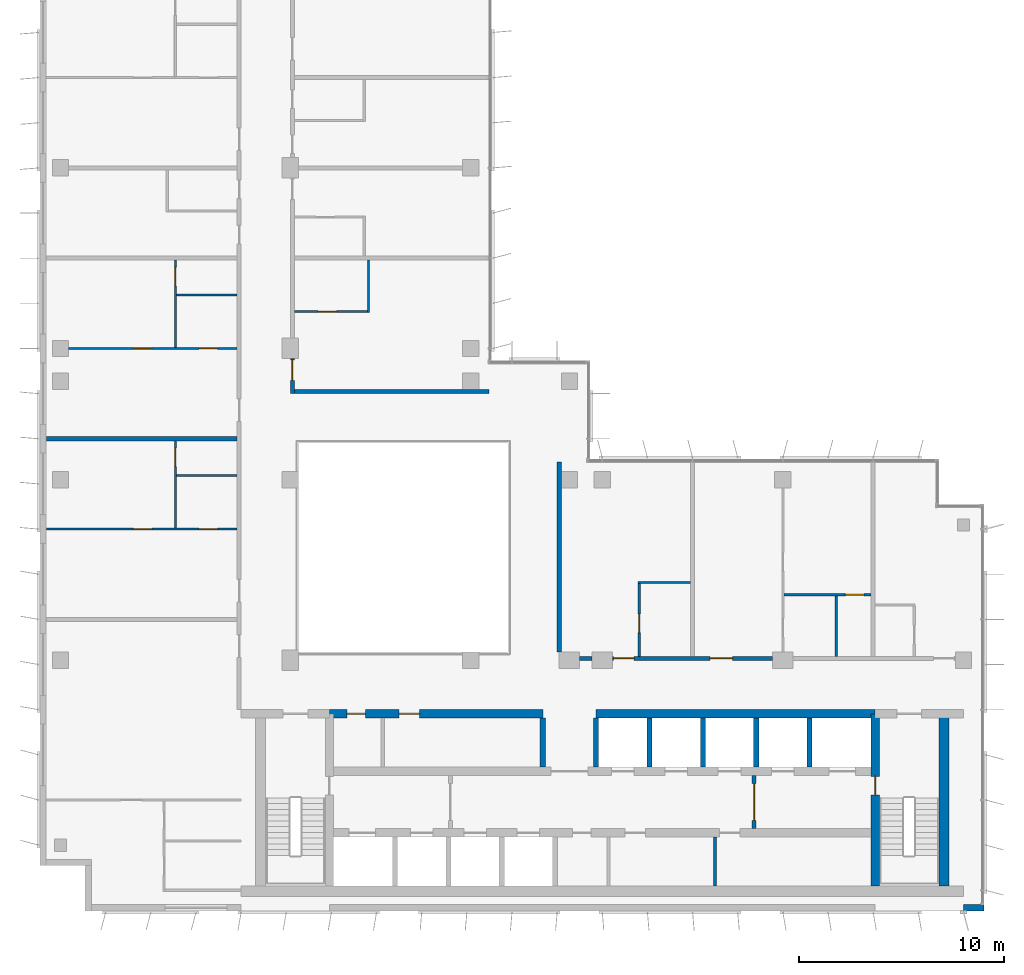
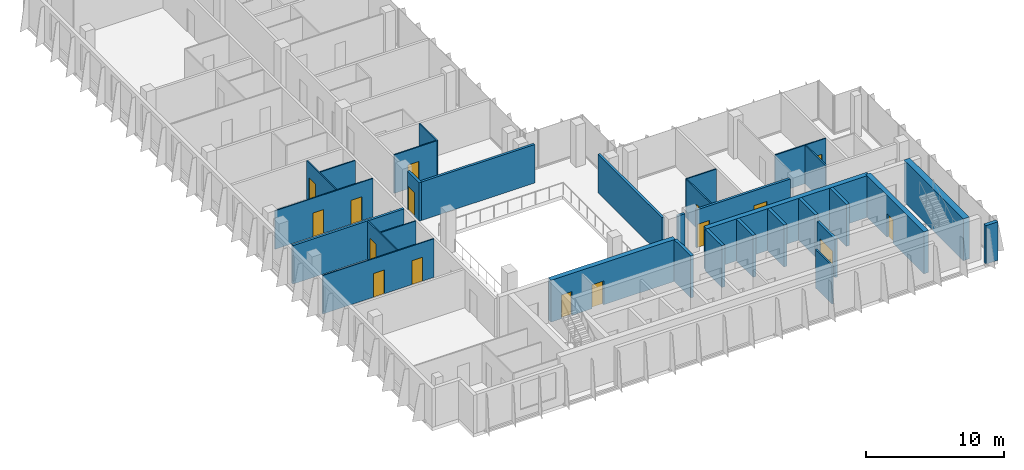
# One storey, part 10 of 16: 31 walls, 16 doors, 16 openings.
"""IFC4 building model written with IfcOpenShell, lengths in metres."""

from ifc_helpers import new_model, si_unit, direction, frame, frame_2d, origin, place, context, subcontext, project, spatial, rectangle, extrude, material, layer, layer_set, type_object, element, fill, save


model = new_model("IFC4")

# Units and contexts
model_context = context("Model", 3, precision=1e-05, world=origin(), true_north=direction((0.0, 1.0)))
body_context = subcontext(model_context, "Body", "Model", "MODEL_VIEW")
ifc_project = project(units=[si_unit("LENGTHUNIT", "METRE"), si_unit("AREAUNIT", "SQUARE_METRE"), si_unit("VOLUMEUNIT", "CUBIC_METRE"), si_unit("PLANEANGLEUNIT", "RADIAN"), si_unit("MASSUNIT", "GRAM", prefix="KILO")], contexts=[model_context])

# Site, building, storey
site_placement = place(None, origin())
site = spatial("IfcSite", under=ifc_project, at=site_placement, CompositionType="ELEMENT")
building_placement = place(site_placement, origin())
building = spatial("IfcBuilding", under=site, at=building_placement, Name="Kemantara Hotel Tower", CompositionType="ELEMENT")
storey_placement = place(building_placement, frame((0.0, 0.0, 287.0)))
storey = spatial("IfcBuildingStorey", under=building, at=storey_placement, Name="L72", CompositionType="ELEMENT", Elevation=287.0)

# Walls
ifc_material_1 = material(Name="Bronze anodised aluminium cladding on insulated steel stud wall", Category="steel")
ifc_layer_1 = layer(ifc_material_1, 0.300048828125)
ifc_layer_set_1 = layer_set([ifc_layer_1], Name="Bronze anodised aluminium cladding on insulated steel stud wall")
wall_type_1 = type_object("IfcWallType", Name="BRONZE METAL-CLAD EXTERNAL WALL 300", PredefinedType="STANDARD", material=ifc_layer_set_1)
wall_1_placement = place(storey_placement, frame((45.0, 0.14990234375, 0.0), z_axis=(0.0, 0.0, 1.0), x_axis=(1.0, 0.0, 0.0)))
element("IfcWall", 1, at=wall_1_placement, inside=storey, type_object=wall_type_1, Name="EXTERNAL WALL L72 T4-R08-3", PredefinedType="STANDARD", context=body_context, shape_type="SweptSolid", body=[
    extrude(rectangle(XDim=1.0, YDim=0.300048828125, at=frame_2d((0.5, 0.0))), origin(), (0.0, 0.0, 1.0), 3.39990234375),
])
ifc_material_2 = material(Name="Concrete fc 50 MPa", Category="concrete")
ifc_layer_2 = layer(ifc_material_2, 0.25)
ifc_layer_set_2 = layer_set([ifc_layer_2], Name="Concrete fc 50 MPa")
wall_type_2 = type_object("IfcWallType", Name="CORE WALL 250 FC50", PredefinedType="SHEAR", material=ifc_layer_set_2)
for number, where, z_axis, x_axis, name in (
    (2, (24.5, 7.0, 0.0), (0.0, 0.0, 1.0), (0.0, 1.0, 0.0), "CORE WALL CW-DN24.5"),
    (3, (27.10009765625, 7.0, 0.0), (0.0, 0.0, 1.0), (0.0, 1.0, 0.0), "CORE WALL CW-DN27.1"),
    (4, (29.699951171875, 7.0, 0.0), (0.0, 0.0, 1.0), (0.0, 1.0, 0.0), "CORE WALL CW-DN29.7"),
    (5, (32.300048828125, 7.0, 0.0), (0.0, 0.0, 1.0), (0.0, 1.0, 0.0), "CORE WALL CW-DN32.3"),
    (6, (34.89990234375, 7.0, 0.0), (0.0, 0.0, 1.0), (0.0, 1.0, 0.0), "CORE WALL CW-DN34.9"),
    (7, (37.5, 7.0, 0.0), (0.0, 0.0, 1.0), (0.0, 1.0, 0.0), "CORE WALL CW-DN37.5"),
):
    element("IfcWall", number, at=place(storey_placement, frame(where, z_axis=z_axis, x_axis=x_axis)), inside=storey, type_object=wall_type_2, Name=name, PredefinedType="SHEAR", context=body_context, shape_type="SweptSolid", body=[
        extrude(rectangle(XDim=2.39990234375, YDim=0.25, at=frame_2d((1.199951171875, 0.0))), origin(), (0.0, 0.0, 1.0), 3.699951171875),
    ])

# Wall, openings, doors
ifc_layer_3 = layer(ifc_material_2, 0.39990234375)
ifc_layer_set_3 = layer_set([ifc_layer_3], Name="Concrete fc 50 MPa")
wall_type_3 = type_object("IfcWallType", Name="CORE WALL 400 FC50", PredefinedType="SHEAR", material=ifc_layer_set_3)
wall_2_placement = place(storey_placement, frame((14.10009765625, 9.60009765625, 0.0), z_axis=(0.0, 0.0, 1.0), x_axis=(1.0, 0.0, 0.0)))
wall_2 = element("IfcWall", 8, at=wall_2_placement, inside=storey, type_object=wall_type_3, Name="CORE WALL CW-NN1", PredefinedType="SHEAR", context=body_context, shape_type="SweptSolid", body=[
    extrude(rectangle(XDim=10.39990234375, YDim=0.39990234375, at=frame_2d((5.199951171875, 0.0))), origin(), (0.0, 0.0, 1.0), 3.699951171875),
])
opening_1_placement = place(wall_2_placement, frame((0.85009765625, 0.0, 0.0)))
opening_1 = element("IfcOpeningElement", 9, at=opening_1_placement, cuts=wall_2, Name="Opening C41-R-NW1", PredefinedType="OPENING", context=body_context, shape_type="SweptSolid", body=[
    extrude(rectangle(XDim=0.89990234375, YDim=2.10009765625, at=frame_2d((0.449951171875, 1.050048828125))), frame((0.0, 0.2099609375, 0.0), z_axis=(0.0, -1.0, 0.0), x_axis=(1.0, 0.0, 0.0)), (0.0, 0.0, 1.0), 0.419921875),
])
opening_2_placement = place(wall_2_placement, frame((3.39990234375, 0.0, 0.0)))
opening_2 = element("IfcOpeningElement", 10, at=opening_2_placement, cuts=wall_2, Name="Opening C41-R-NW2", PredefinedType="OPENING", context=body_context, shape_type="SweptSolid", body=[
    extrude(rectangle(XDim=1.0, YDim=2.10009765625, at=frame_2d((0.5, 1.050048828125))), frame((0.0, 0.2099609375, 0.0), z_axis=(0.0, -1.0, 0.0), x_axis=(1.0, 0.0, 0.0)), (0.0, 0.0, 1.0), 0.419921875),
])
ifc_material_3 = material(Name="Steel fire door", Category="steel")
door_type_1 = type_object("IfcDoorType", Name="Fire door FD30S 1000 x 2100", OperationType="NOTDEFINED", PredefinedType="DOOR", material=ifc_material_3)
door_1_placement = place(opening_2_placement, frame((1.0, 0.0, 0.0), z_axis=(0.0, 0.0, 1.0), x_axis=(-1.0, 0.0, 0.0)))
door_1 = element("IfcDoor", 11, at=door_1_placement, inside=storey, type_object=door_type_1, Name="Housekeeping Store door", OperationType="SINGLE_SWING_RIGHT", OverallHeight=2.10009765625, OverallWidth=1.0, PredefinedType="DOOR", context=body_context, shape_type="SweptSolid", body=[
    extrude(rectangle(XDim=1.0, YDim=2.10009765625, at=frame_2d((0.5, 1.050048828125))), frame((0.0, 0.02490234375, 0.0), z_axis=(0.0, -1.0, 0.0), x_axis=(1.0, 0.0, 0.0)), (0.0, 0.0, 1.0), 0.050048828125),
])
fill(opening_2, door_1)
door_type_2 = type_object("IfcDoorType", Name="Fire door FD30S 900 x 2100", OperationType="NOTDEFINED", PredefinedType="DOOR", material=ifc_material_3)
door_2_placement = place(opening_1_placement, frame((0.89990234375, 0.0, 0.0), z_axis=(0.0, 0.0, 1.0), x_axis=(-1.0, 0.0, 0.0)))
door_2 = element("IfcDoor", 12, at=door_2_placement, inside=storey, type_object=door_type_2, Name="Staff Wc door", OperationType="SINGLE_SWING_RIGHT", OverallHeight=2.10009765625, OverallWidth=0.89990234375, PredefinedType="DOOR", context=body_context, shape_type="SweptSolid", body=[
    extrude(rectangle(XDim=0.89990234375, YDim=2.10009765625, at=frame_2d((0.449951171875, 1.050048828125))), frame((0.0, 0.02490234375, 0.0), z_axis=(0.0, -1.0, 0.0), x_axis=(1.0, 0.0, 0.0)), (0.0, 0.0, 1.0), 0.050048828125),
])
fill(opening_1, door_2)

# Wall
wall_3_placement = place(storey_placement, frame((27.10009765625, 9.60009765625, 0.0), z_axis=(0.0, 0.0, 1.0), x_axis=(1.0, 0.0, 0.0)))
element("IfcWall", 13, at=wall_3_placement, inside=storey, type_object=wall_type_3, Name="CORE WALL CW-NN2", PredefinedType="SHEAR", context=body_context, shape_type="SweptSolid", body=[
    extrude(rectangle(XDim=13.599853515625, YDim=0.39990234375, at=frame_2d((6.7998046875, 0.0))), origin(), (0.0, 0.0, 1.0), 3.699951171875),
])

# Wall, opening, door
wall_4_placement = place(storey_placement, frame((40.699951171875, 1.199951171875, 0.0), z_axis=(0.0, 0.0, 1.0), x_axis=(0.0, 1.0, 0.0)))
wall_4 = element("IfcWall", 14, at=wall_4_placement, inside=storey, type_object=wall_type_3, Name="CORE WALL CW-ST2W", PredefinedType="SHEAR", context=body_context, shape_type="SweptSolid", body=[
    extrude(rectangle(XDim=8.400146484375, YDim=0.39990234375, at=frame_2d((4.2001953125, 0.0))), origin(), (0.0, 0.0, 1.0), 3.699951171875),
])
opening_3_placement = place(wall_4_placement, frame((4.449951171875, 0.0, 0.0)))
opening_3 = element("IfcOpeningElement", 15, at=opening_3_placement, cuts=wall_4, Name="Opening C41-ST2-F", PredefinedType="OPENING", context=body_context, shape_type="SweptSolid", body=[
    extrude(rectangle(XDim=0.89990234375, YDim=2.10009765625, at=frame_2d((0.449951171875, 1.050048828125))), frame((0.0, 0.2099609375, 0.0), z_axis=(0.0, -1.0, 0.0), x_axis=(1.0, 0.0, 0.0)), (0.0, 0.0, 1.0), 0.419921875),
])
door_type_3 = type_object("IfcDoorType", Name="Fire door FD90 900 x 2100", OperationType="NOTDEFINED", PredefinedType="DOOR", material=ifc_material_3)
door_3_placement = place(opening_3_placement, frame((0.89990234375, 0.0, 0.0), z_axis=(0.0, 0.0, 1.0), x_axis=(-1.0, 0.0, 0.0)))
door_3 = element("IfcDoor", 16, at=door_3_placement, inside=storey, type_object=door_type_3, Name="Stair ST2 door to firefighting lobby", OperationType="SINGLE_SWING_LEFT", OverallHeight=2.10009765625, OverallWidth=0.89990234375, PredefinedType="DOOR", context=body_context, shape_type="SweptSolid", body=[
    extrude(rectangle(XDim=0.89990234375, YDim=2.10009765625, at=frame_2d((0.449951171875, 1.050048828125))), frame((0.0, 0.02490234375, 0.0), z_axis=(0.0, -1.0, 0.0), x_axis=(1.0, 0.0, 0.0)), (0.0, 0.0, 1.0), 0.050048828125),
])
fill(opening_3, door_3)

# Walls
ifc_layer_4 = layer(ifc_material_2, 0.5)
ifc_layer_set_4 = layer_set([ifc_layer_4], Name="Concrete fc 50 MPa")
wall_type_4 = type_object("IfcWallType", Name="CORE WALL 500 FC50", PredefinedType="SHEAR", material=ifc_layer_set_4)
wall_5_placement = place(storey_placement, frame((44.050048828125, 1.199951171875, 0.0), z_axis=(0.0, 0.0, 1.0), x_axis=(0.0, 1.0, 0.0)))
element("IfcWall", 17, at=wall_5_placement, inside=storey, type_object=wall_type_4, Name="CORE WALL CW-E", PredefinedType="SHEAR", context=body_context, shape_type="SweptSolid", body=[
    extrude(rectangle(XDim=8.60009765625, YDim=0.5, at=frame_2d((4.300048828125, 0.0))), origin(), (0.0, 0.0, 1.0), 3.699951171875),
])
ifc_material_4 = material(Name="Gypsum board partition, steel studs and mineral wool, 200 mm", Category="steel")
ifc_layer_5 = layer(ifc_material_4, 0.199951171875)
ifc_layer_set_5 = layer_set([ifc_layer_5], Name="Gypsum board partition, steel studs and mineral wool, 200 mm")
wall_type_5 = type_object("IfcWallType", Name="CORRIDOR WALL 200", PredefinedType="PARTITIONING", material=ifc_layer_set_5)
wall_6_placement = place(storey_placement, frame((26.300048828125, 12.300048828125, 0.0), z_axis=(0.0, 0.0, 1.0), x_axis=(1.0, 0.0, 0.0)))
element("IfcWall", 18, at=wall_6_placement, inside=storey, type_object=wall_type_5, Name="CORRIDOR WALL 200 001", PredefinedType="PARTITIONING", context=body_context, shape_type="SweptSolid", body=[
    extrude(rectangle(XDim=0.599853515625, YDim=0.199951171875, at=frame_2d((0.2998046875, 0.0))), origin(), (0.0, 0.0, 1.0), 3.39990234375),
])

# Wall, openings, doors
wall_7_placement = place(storey_placement, frame((27.900146484375, 12.300048828125, 0.0), z_axis=(0.0, 0.0, 1.0), x_axis=(1.0, 0.0, 0.0)))
wall_7 = element("IfcWall", 19, at=wall_7_placement, inside=storey, type_object=wall_type_5, Name="CORRIDOR WALL 200 002", PredefinedType="PARTITIONING", context=body_context, shape_type="SweptSolid", body=[
    extrude(rectangle(XDim=7.7998046875, YDim=0.199951171875, at=frame_2d((3.89990234375, 0.0))), origin(), (0.0, 0.0, 1.0), 3.39990234375),
])
opening_4_placement = place(wall_7_placement, frame((0.0498046875, 0.0, 0.0)))
opening_4 = element("IfcOpeningElement", 20, at=opening_4_placement, cuts=wall_7, Name="Opening F35-001", PredefinedType="OPENING", context=body_context, shape_type="SweptSolid", body=[
    extrude(rectangle(XDim=1.0, YDim=2.10009765625, at=frame_2d((0.5, 1.050048828125))), frame((0.0, 0.10986328125, 0.0), z_axis=(0.0, -1.0, 0.0), x_axis=(1.0, 0.0, 0.0)), (0.0, 0.0, 1.0), 0.219970703125),
])
opening_5_placement = place(wall_7_placement, frame((4.75, 0.0, 0.0)))
opening_5 = element("IfcOpeningElement", 21, at=opening_5_placement, cuts=wall_7, Name="Opening F35-003", PredefinedType="OPENING", context=body_context, shape_type="SweptSolid", body=[
    extrude(rectangle(XDim=1.10009765625, YDim=2.10009765625, at=frame_2d((0.550048828125, 1.050048828125))), frame((0.0, 0.10986328125, 0.0), z_axis=(0.0, -1.0, 0.0), x_axis=(1.0, 0.0, 0.0)), (0.0, 0.0, 1.0), 0.219970703125),
])
ifc_material_5 = material(Name="Hardwood veneer door leaf with steel frame", Category="steel")
door_type_4 = type_object("IfcDoorType", Name="GUEST ROOM DOOR 1000 X 2100 FD30S", OperationType="NOTDEFINED", PredefinedType="DOOR", material=ifc_material_5)
door_4_placement = place(opening_4_placement, origin())
door_4 = element("IfcDoor", 22, at=door_4_placement, inside=storey, type_object=door_type_4, Name="GUEST ROOM DOOR F35-001", OperationType="SINGLE_SWING_LEFT", OverallHeight=2.10009765625, OverallWidth=1.0, PredefinedType="DOOR", context=body_context, shape_type="SweptSolid", body=[
    extrude(rectangle(XDim=1.0, YDim=2.10009765625, at=frame_2d((0.5, 1.050048828125))), frame((0.0, 0.02490234375, 0.0), z_axis=(0.0, -1.0, 0.0), x_axis=(1.0, 0.0, 0.0)), (0.0, 0.0, 1.0), 0.050048828125),
])
fill(opening_4, door_4)
door_type_5 = type_object("IfcDoorType", Name="SUITE ENTRANCE DOOR 1100 X 2100 FD30S", OperationType="NOTDEFINED", PredefinedType="DOOR", material=ifc_material_5)
door_5_placement = place(opening_5_placement, origin())
door_5 = element("IfcDoor", 23, at=door_5_placement, inside=storey, type_object=door_type_5, Name="SUITE ENTRANCE DOOR F35-003", OperationType="SINGLE_SWING_LEFT", OverallHeight=2.10009765625, OverallWidth=1.10009765625, PredefinedType="DOOR", context=body_context, shape_type="SweptSolid", body=[
    extrude(rectangle(XDim=1.10009765625, YDim=2.10009765625, at=frame_2d((0.550048828125, 1.050048828125))), frame((0.0, 0.02490234375, 0.0), z_axis=(0.0, -1.0, 0.0), x_axis=(1.0, 0.0, 0.0)), (0.0, 0.0, 1.0), 0.050048828125),
])
fill(opening_5, door_5)

# Wall, opening, door
wall_8_placement = place(storey_placement, frame((12.300048828125, 26.89990234375, 0.0), z_axis=(0.0, 0.0, 1.0), x_axis=(0.0, -1.0, 0.0)))
wall_8 = element("IfcWall", 24, at=wall_8_placement, inside=storey, type_object=wall_type_5, Name="CORRIDOR WALL 200 016", PredefinedType="PARTITIONING", context=body_context, shape_type="SweptSolid", body=[
    extrude(rectangle(XDim=1.699951171875, YDim=0.199951171875, at=frame_2d((0.85009765625, 0.0))), origin(), (0.0, 0.0, 1.0), 3.39990234375),
])
opening_6_placement = place(wall_8_placement, frame((0.0498046875, 0.0, 0.0)))
opening_6 = element("IfcOpeningElement", 25, at=opening_6_placement, cuts=wall_8, Name="Opening F35-029", PredefinedType="OPENING", context=body_context, shape_type="SweptSolid", body=[
    extrude(rectangle(XDim=1.0, YDim=2.10009765625, at=frame_2d((0.5, 1.050048828125))), frame((0.0, 0.10986328125, 0.0), z_axis=(0.0, -1.0, 0.0), x_axis=(1.0, 0.0, 0.0)), (0.0, 0.0, 1.0), 0.219970703125),
])
door_6_placement = place(opening_6_placement, origin())
door_6 = element("IfcDoor", 26, at=door_6_placement, inside=storey, type_object=door_type_4, Name="GUEST ROOM DOOR F35-029", OperationType="SINGLE_SWING_RIGHT", OverallHeight=2.10009765625, OverallWidth=1.0, PredefinedType="DOOR", context=body_context, shape_type="SweptSolid", body=[
    extrude(rectangle(XDim=1.0, YDim=2.10009765625, at=frame_2d((0.5, 1.050048828125))), frame((0.0, 0.02490234375, 0.0), z_axis=(0.0, -1.0, 0.0), x_axis=(1.0, 0.0, 0.0)), (0.0, 0.0, 1.0), 0.050048828125),
])
fill(opening_6, door_6)

# Walls
ifc_layer_6 = layer(ifc_material_4, 0.199951171875)
ifc_layer_set_6 = layer_set([ifc_layer_6], Name="Gypsum board partition, steel studs and mineral wool, 200 mm")
wall_type_6 = type_object("IfcWallType", Name="GUEST ROOM PARTY WALL 200", PredefinedType="PARTITIONING", material=ifc_layer_set_6)
wall_9_placement = place(storey_placement, frame((25.300048828125, 12.60009765625, 0.0), z_axis=(0.0, 0.0, 1.0), x_axis=(0.0, 1.0, 0.0)))
element("IfcWall", 27, at=wall_9_placement, inside=storey, type_object=wall_type_6, Name="GUEST ROOM PARTY WALL 200 004", PredefinedType="PARTITIONING", context=body_context, shape_type="SweptSolid", body=[
    extrude(rectangle(XDim=9.27001953125, YDim=0.199951171875, at=frame_2d((4.635009765625, 0.0))), origin(), (0.0, 0.0, 1.0), 3.39990234375),
])
wall_10_placement = place(storey_placement, frame((0.31005859375, 23.0, 0.0), z_axis=(0.0, 0.0, 1.0), x_axis=(1.0, 0.0, 0.0)))
element("IfcWall", 28, at=wall_10_placement, inside=storey, type_object=wall_type_6, Name="GUEST ROOM PARTY WALL 200 010", PredefinedType="PARTITIONING", context=body_context, shape_type="SweptSolid", body=[
    extrude(rectangle(XDim=9.2900390625, YDim=0.199951171875, at=frame_2d((4.64501953125, 0.0))), origin(), (0.0, 0.0, 1.0), 3.39990234375),
])
wall_11_placement = place(storey_placement, frame((12.39990234375, 25.300048828125, 0.0), z_axis=(0.0, 0.0, 1.0), x_axis=(1.0, 0.0, 0.0)))
element("IfcWall", 29, at=wall_11_placement, inside=storey, type_object=wall_type_6, Name="GUEST ROOM PARTY WALL 200 021", PredefinedType="PARTITIONING", context=body_context, shape_type="SweptSolid", body=[
    extrude(rectangle(XDim=9.47021484375, YDim=0.199951171875, at=frame_2d((4.735107421875, 0.0))), origin(), (0.0, 0.0, 1.0), 3.39990234375),
])
ifc_material_6 = material(Name="Gypsum board partition")
ifc_layer_7 = layer(ifc_material_6, 0.14990234375)
ifc_layer_set_7 = layer_set([ifc_layer_7], Name="Gypsum board partition")
wall_type_7 = type_object("IfcWallType", Name="Gypsum board partition 150 mm", PredefinedType="PARTITIONING", material=ifc_layer_set_7)
wall_12_placement = place(storey_placement, frame((32.89990234375, 1.199951171875, 0.0), z_axis=(0.0, 0.0, 1.0), x_axis=(0.0, 1.0, 0.0)))
element("IfcWall", 30, at=wall_12_placement, inside=storey, type_object=wall_type_7, Name="Core room partition", PredefinedType="PARTITIONING", context=body_context, shape_type="SweptSolid", body=[
    extrude(rectangle(XDim=2.400146484375, YDim=0.14990234375, at=frame_2d((1.2001953125, 0.0))), origin(), (0.0, 0.0, 1.0), 3.39990234375),
])

# Wall, opening, door
ifc_material_7 = material(Name="Gypsum board shaft wall")
ifc_layer_8 = layer(ifc_material_7, 0.199951171875)
ifc_layer_set_8 = layer_set([ifc_layer_8], Name="Gypsum board shaft wall")
wall_type_8 = type_object("IfcWallType", Name="Gypsum board shaft wall 200 mm", PredefinedType="PARTITIONING", material=ifc_layer_set_8)
wall_13_placement = place(storey_placement, frame((34.800048828125, 4.0, 0.0), z_axis=(0.0, 0.0, 1.0), x_axis=(0.0, 1.0, 0.0)))
wall_13 = element("IfcWall", 31, at=wall_13_placement, inside=storey, type_object=wall_type_8, Name="Firefighting lobby partition east", PredefinedType="PARTITIONING", context=body_context, shape_type="SweptSolid", body=[
    extrude(rectangle(XDim=2.60009765625, YDim=0.199951171875, at=frame_2d((1.300048828125, 0.0))), origin(), (0.0, 0.0, 1.0), 3.39990234375),
])
opening_7_placement = place(wall_13_placement, frame((0.39990234375, 0.0, 0.0)))
opening_7 = element("IfcOpeningElement", 32, at=opening_7_placement, cuts=wall_13, Name="Opening C41-FFE", PredefinedType="OPENING", context=body_context, shape_type="SweptSolid", body=[
    extrude(rectangle(XDim=1.800048828125, YDim=2.10009765625, at=frame_2d((0.89990234375, 1.050048828125))), frame((0.0, 0.10986328125, 0.0), z_axis=(0.0, -1.0, 0.0), x_axis=(1.0, 0.0, 0.0)), (0.0, 0.0, 1.0), 0.219970703125),
])
door_type_6 = type_object("IfcDoorType", Name="Fire door pair FD60 1800 x 2100", OperationType="DOUBLE_DOOR_SINGLE_SWING", PredefinedType="DOOR", material=ifc_material_3)
door_7_placement = place(opening_7_placement, frame((1.800048828125, 0.0, 0.0), z_axis=(0.0, 0.0, 1.0), x_axis=(-1.0, 0.0, 0.0)))
door_7 = element("IfcDoor", 33, at=door_7_placement, inside=storey, type_object=door_type_6, Name="Firefighting lobby door east", OperationType="DOUBLE_DOOR_SINGLE_SWING", OverallHeight=2.10009765625, OverallWidth=1.800048828125, PredefinedType="DOOR", context=body_context, shape_type="SweptSolid", body=[
    extrude(rectangle(XDim=1.800048828125, YDim=2.10009765625, at=frame_2d((0.89990234375, 1.050048828125))), frame((0.0, 0.02490234375, 0.0), z_axis=(0.0, -1.0, 0.0), x_axis=(1.0, 0.0, 0.0)), (0.0, 0.0, 1.0), 0.050048828125),
])
fill(opening_7, door_7)

# Wall
ifc_material_8 = material(Name="Gypsum board partition on steel studs, 100 mm", Category="steel")
ifc_layer_9 = layer(ifc_material_8, 0.10009765625)
ifc_layer_set_9 = layer_set([ifc_layer_9], Name="Gypsum board partition on steel studs, 100 mm")
wall_type_9 = type_object("IfcWallType", Name="ROOM PARTITION 100", PredefinedType="PARTITIONING", material=ifc_layer_set_9)
wall_14_placement = place(storey_placement, frame((29.14990234375, 16.0, 0.0), z_axis=(0.0, 0.0, 1.0), x_axis=(1.0, 0.0, 0.0)))
element("IfcWall", 34, at=wall_14_placement, inside=storey, type_object=wall_type_9, Name="ROOM PARTITION 100 024", PredefinedType="PARTITIONING", context=body_context, shape_type="SweptSolid", body=[
    extrude(rectangle(XDim=2.550048828125, YDim=0.10009765625, at=frame_2d((1.27490234375, 0.0))), origin(), (0.0, 0.0, 1.0), 3.39990234375),
])

# Wall, opening, door
wall_15_placement = place(storey_placement, frame((29.199951171875, 15.949951171875, 0.0), z_axis=(0.0, 0.0, 1.0), x_axis=(0.0, -1.0, 0.0)))
wall_15 = element("IfcWall", 35, at=wall_15_placement, inside=storey, type_object=wall_type_9, Name="ROOM PARTITION 100 025", PredefinedType="PARTITIONING", context=body_context, shape_type="SweptSolid", body=[
    extrude(rectangle(XDim=3.550048828125, YDim=0.10009765625, at=frame_2d((1.77490234375, 0.0))), origin(), (0.0, 0.0, 1.0), 3.39990234375),
])
opening_8_placement = place(wall_15_placement, frame((1.5, 0.0, 0.0)))
opening_8 = element("IfcOpeningElement", 36, at=opening_8_placement, cuts=wall_15, Name="Opening F35-002", PredefinedType="OPENING", context=body_context, shape_type="SweptSolid", body=[
    extrude(rectangle(XDim=0.89990234375, YDim=2.10009765625, at=frame_2d((0.449951171875, 1.050048828125))), frame((0.0, 0.06005859375, 0.0), z_axis=(0.0, -1.0, 0.0), x_axis=(1.0, 0.0, 0.0)), (0.0, 0.0, 1.0), 0.1201171875),
])
door_type_7 = type_object("IfcDoorType", Name="BATHROOM DOOR 900 X 2100", OperationType="NOTDEFINED", PredefinedType="DOOR", material=ifc_material_5)
door_8_placement = place(opening_8_placement, origin())
door_8 = element("IfcDoor", 37, at=door_8_placement, inside=storey, type_object=door_type_7, Name="BATHROOM DOOR F35-002", OperationType="SINGLE_SWING_RIGHT", OverallHeight=2.10009765625, OverallWidth=0.89990234375, PredefinedType="DOOR", context=body_context, shape_type="SweptSolid", body=[
    extrude(rectangle(XDim=0.89990234375, YDim=2.10009765625, at=frame_2d((0.449951171875, 1.050048828125))), frame((0.0, 0.02490234375, 0.0), z_axis=(0.0, -1.0, 0.0), x_axis=(1.0, 0.0, 0.0)), (0.0, 0.0, 1.0), 0.050048828125),
])
fill(opening_8, door_8)

wall_16_placement = place(storey_placement, frame((40.5, 15.39990234375, 0.0), z_axis=(0.0, 0.0, 1.0), x_axis=(-1.0, 0.0, 0.0)))
wall_16 = element("IfcWall", 38, at=wall_16_placement, inside=storey, type_object=wall_type_9, Name="ROOM PARTITION 100 026", PredefinedType="PARTITIONING", context=body_context, shape_type="SweptSolid", body=[
    extrude(rectangle(XDim=4.25, YDim=0.10009765625, at=frame_2d((2.125, 0.0))), origin(), (0.0, 0.0, 1.0), 3.39990234375),
])
opening_9_placement = place(wall_16_placement, frame((0.35009765625, 0.0, 0.0)))
opening_9 = element("IfcOpeningElement", 39, at=opening_9_placement, cuts=wall_16, Name="Opening F35-006", PredefinedType="OPENING", context=body_context, shape_type="SweptSolid", body=[
    extrude(rectangle(XDim=0.89990234375, YDim=2.10009765625, at=frame_2d((0.449951171875, 1.050048828125))), frame((0.0, 0.06005859375, 0.0), z_axis=(0.0, -1.0, 0.0), x_axis=(1.0, 0.0, 0.0)), (0.0, 0.0, 1.0), 0.1201171875),
])
door_9_placement = place(opening_9_placement, origin())
door_9 = element("IfcDoor", 40, at=door_9_placement, inside=storey, type_object=door_type_7, Name="BATHROOM DOOR F35-006", OperationType="SINGLE_SWING_RIGHT", OverallHeight=2.10009765625, OverallWidth=0.89990234375, PredefinedType="DOOR", context=body_context, shape_type="SweptSolid", body=[
    extrude(rectangle(XDim=0.89990234375, YDim=2.10009765625, at=frame_2d((0.449951171875, 1.050048828125))), frame((0.0, 0.02490234375, 0.0), z_axis=(0.0, -1.0, 0.0), x_axis=(1.0, 0.0, 0.0)), (0.0, 0.0, 1.0), 0.050048828125),
])
fill(opening_9, door_9)

# Wall
wall_17_placement = place(storey_placement, frame((38.800048828125, 12.39990234375, 0.0), z_axis=(0.0, 0.0, 1.0), x_axis=(0.0, 1.0, 0.0)))
element("IfcWall", 41, at=wall_17_placement, inside=storey, type_object=wall_type_9, Name="ROOM PARTITION 100 028", PredefinedType="PARTITIONING", context=body_context, shape_type="SweptSolid", body=[
    extrude(rectangle(XDim=2.9501953125, YDim=0.10009765625, at=frame_2d((1.47509765625, 0.0))), origin(), (0.0, 0.0, 1.0), 3.39990234375),
])

# Wall, opening, door
wall_18_placement = place(storey_placement, frame((6.60009765625, 22.89990234375, 0.0), z_axis=(0.0, 0.0, 1.0), x_axis=(0.0, -1.0, 0.0)))
wall_18 = element("IfcWall", 42, at=wall_18_placement, inside=storey, type_object=wall_type_9, Name="ROOM PARTITION 100 035", PredefinedType="PARTITIONING", context=body_context, shape_type="SweptSolid", body=[
    extrude(rectangle(XDim=4.25, YDim=0.10009765625, at=frame_2d((2.125, 0.0))), origin(), (0.0, 0.0, 1.0), 3.39990234375),
])
opening_10_placement = place(wall_18_placement, frame((0.35009765625, 0.0, 0.0)))
opening_10 = element("IfcOpeningElement", 43, at=opening_10_placement, cuts=wall_18, Name="Opening F35-016", PredefinedType="OPENING", context=body_context, shape_type="SweptSolid", body=[
    extrude(rectangle(XDim=0.89990234375, YDim=2.10009765625, at=frame_2d((0.449951171875, 1.050048828125))), frame((0.0, 0.06005859375, 0.0), z_axis=(0.0, -1.0, 0.0), x_axis=(1.0, 0.0, 0.0)), (0.0, 0.0, 1.0), 0.1201171875),
])
door_10_placement = place(opening_10_placement, origin())
door_10 = element("IfcDoor", 44, at=door_10_placement, inside=storey, type_object=door_type_7, Name="BATHROOM DOOR F35-016", OperationType="SINGLE_SWING_RIGHT", OverallHeight=2.10009765625, OverallWidth=0.89990234375, PredefinedType="DOOR", context=body_context, shape_type="SweptSolid", body=[
    extrude(rectangle(XDim=0.89990234375, YDim=2.10009765625, at=frame_2d((0.449951171875, 1.050048828125))), frame((0.0, 0.02490234375, 0.0), z_axis=(0.0, -1.0, 0.0), x_axis=(1.0, 0.0, 0.0)), (0.0, 0.0, 1.0), 0.050048828125),
])
fill(opening_10, door_10)

wall_19_placement = place(storey_placement, frame((6.60009765625, 31.699951171875, 0.0), z_axis=(0.0, 0.0, 1.0), x_axis=(0.0, -1.0, 0.0)))
wall_19 = element("IfcWall", 45, at=wall_19_placement, inside=storey, type_object=wall_type_9, Name="ROOM PARTITION 100 036", PredefinedType="PARTITIONING", context=body_context, shape_type="SweptSolid", body=[
    extrude(rectangle(XDim=4.25, YDim=0.10009765625, at=frame_2d((2.125, 0.0))), origin(), (0.0, 0.0, 1.0), 3.39990234375),
])
opening_11_placement = place(wall_19_placement, frame((0.35009765625, 0.0, 0.0)))
opening_11 = element("IfcOpeningElement", 46, at=opening_11_placement, cuts=wall_19, Name="Opening F35-020", PredefinedType="OPENING", context=body_context, shape_type="SweptSolid", body=[
    extrude(rectangle(XDim=0.89990234375, YDim=2.10009765625, at=frame_2d((0.449951171875, 1.050048828125))), frame((0.0, 0.06005859375, 0.0), z_axis=(0.0, -1.0, 0.0), x_axis=(1.0, 0.0, 0.0)), (0.0, 0.0, 1.0), 0.1201171875),
])
door_11_placement = place(opening_11_placement, origin())
door_11 = element("IfcDoor", 47, at=door_11_placement, inside=storey, type_object=door_type_7, Name="BATHROOM DOOR F35-020", OperationType="SINGLE_SWING_RIGHT", OverallHeight=2.10009765625, OverallWidth=0.89990234375, PredefinedType="DOOR", context=body_context, shape_type="SweptSolid", body=[
    extrude(rectangle(XDim=0.89990234375, YDim=2.10009765625, at=frame_2d((0.449951171875, 1.050048828125))), frame((0.0, 0.02490234375, 0.0), z_axis=(0.0, -1.0, 0.0), x_axis=(1.0, 0.0, 0.0)), (0.0, 0.0, 1.0), 0.050048828125),
])
fill(opening_11, door_11)

# Wall, openings, doors
wall_20_placement = place(storey_placement, frame((0.31005859375, 18.60009765625, 0.0), z_axis=(0.0, 0.0, 1.0), x_axis=(1.0, 0.0, 0.0)))
wall_20 = element("IfcWall", 48, at=wall_20_placement, inside=storey, type_object=wall_type_9, Name="ROOM PARTITION 100 038", PredefinedType="PARTITIONING", context=body_context, shape_type="SweptSolid", body=[
    extrude(rectangle(XDim=9.2900390625, YDim=0.10009765625, at=frame_2d((4.64501953125, 0.0))), origin(), (0.0, 0.0, 1.0), 3.39990234375),
])
opening_12_placement = place(wall_20_placement, frame((7.43994140625, 0.0, 0.0)))
opening_12 = element("IfcOpeningElement", 49, at=opening_12_placement, cuts=wall_20, Name="Opening F35-014", PredefinedType="OPENING", context=body_context, shape_type="SweptSolid", body=[
    extrude(rectangle(XDim=0.89990234375, YDim=2.10009765625, at=frame_2d((0.449951171875, 1.050048828125))), frame((0.0, 0.06005859375, 0.0), z_axis=(0.0, -1.0, 0.0), x_axis=(1.0, 0.0, 0.0)), (0.0, 0.0, 1.0), 0.1201171875),
])
opening_13_placement = place(wall_20_placement, frame((4.239990234375, 0.0, 0.0)))
opening_13 = element("IfcOpeningElement", 50, at=opening_13_placement, cuts=wall_20, Name="Opening F35-015", PredefinedType="OPENING", context=body_context, shape_type="SweptSolid", body=[
    extrude(rectangle(XDim=0.89990234375, YDim=2.10009765625, at=frame_2d((0.449951171875, 1.050048828125))), frame((0.0, 0.06005859375, 0.0), z_axis=(0.0, -1.0, 0.0), x_axis=(1.0, 0.0, 0.0)), (0.0, 0.0, 1.0), 0.1201171875),
])
door_type_8 = type_object("IfcDoorType", Name="INTERNAL DOOR 900 X 2100", OperationType="NOTDEFINED", PredefinedType="DOOR", material=ifc_material_5)
door_12_placement = place(opening_13_placement, origin())
door_12 = element("IfcDoor", 51, at=door_12_placement, inside=storey, type_object=door_type_8, Name="INTERNAL DOOR F35-015", OperationType="SINGLE_SWING_RIGHT", OverallHeight=2.10009765625, OverallWidth=0.89990234375, PredefinedType="DOOR", context=body_context, shape_type="SweptSolid", body=[
    extrude(rectangle(XDim=0.89990234375, YDim=2.10009765625, at=frame_2d((0.449951171875, 1.050048828125))), frame((0.0, 0.02490234375, 0.0), z_axis=(0.0, -1.0, 0.0), x_axis=(1.0, 0.0, 0.0)), (0.0, 0.0, 1.0), 0.050048828125),
])
fill(opening_13, door_12)
door_type_9 = type_object("IfcDoorType", Name="PANTRY DOOR 900 X 2100", OperationType="NOTDEFINED", PredefinedType="DOOR", material=ifc_material_5)
door_13_placement = place(opening_12_placement, frame((0.89990234375, 0.0, 0.0), z_axis=(0.0, 0.0, 1.0), x_axis=(-1.0, 0.0, 0.0)))
door_13 = element("IfcDoor", 52, at=door_13_placement, inside=storey, type_object=door_type_9, Name="PANTRY DOOR F35-014", OperationType="SINGLE_SWING_RIGHT", OverallHeight=2.10009765625, OverallWidth=0.89990234375, PredefinedType="DOOR", context=body_context, shape_type="SweptSolid", body=[
    extrude(rectangle(XDim=0.89990234375, YDim=2.10009765625, at=frame_2d((0.449951171875, 1.050048828125))), frame((0.0, 0.02490234375, 0.0), z_axis=(0.0, -1.0, 0.0), x_axis=(1.0, 0.0, 0.0)), (0.0, 0.0, 1.0), 0.050048828125),
])
fill(opening_12, door_13)

# Wall
wall_21_placement = place(storey_placement, frame((6.64990234375, 21.199951171875, 0.0), z_axis=(0.0, 0.0, 1.0), x_axis=(1.0, 0.0, 0.0)))
element("IfcWall", 53, at=wall_21_placement, inside=storey, type_object=wall_type_9, Name="ROOM PARTITION 100 039", PredefinedType="PARTITIONING", context=body_context, shape_type="SweptSolid", body=[
    extrude(rectangle(XDim=2.9501953125, YDim=0.10009765625, at=frame_2d((1.47509765625, 0.0))), origin(), (0.0, 0.0, 1.0), 3.39990234375),
])

# Wall, openings, doors
wall_22_placement = place(storey_placement, frame((1.400146484375, 27.39990234375, 0.0), z_axis=(0.0, 0.0, 1.0), x_axis=(1.0, 0.0, 0.0)))
wall_22 = element("IfcWall", 54, at=wall_22_placement, inside=storey, type_object=wall_type_9, Name="ROOM PARTITION 100 040", PredefinedType="PARTITIONING", context=body_context, shape_type="SweptSolid", body=[
    extrude(rectangle(XDim=8.199951171875, YDim=0.10009765625, at=frame_2d((4.10009765625, 0.0))), origin(), (0.0, 0.0, 1.0), 3.39990234375),
])
opening_14_placement = place(wall_22_placement, frame((6.349853515625, 0.0, 0.0)))
opening_14 = element("IfcOpeningElement", 55, at=opening_14_placement, cuts=wall_22, Name="Opening F35-018", PredefinedType="OPENING", context=body_context, shape_type="SweptSolid", body=[
    extrude(rectangle(XDim=0.89990234375, YDim=2.10009765625, at=frame_2d((0.449951171875, 1.050048828125))), frame((0.0, 0.06005859375, 0.0), z_axis=(0.0, -1.0, 0.0), x_axis=(1.0, 0.0, 0.0)), (0.0, 0.0, 1.0), 0.1201171875),
])
opening_15_placement = place(wall_22_placement, frame((3.14990234375, 0.0, 0.0)))
opening_15 = element("IfcOpeningElement", 56, at=opening_15_placement, cuts=wall_22, Name="Opening F35-019", PredefinedType="OPENING", context=body_context, shape_type="SweptSolid", body=[
    extrude(rectangle(XDim=0.89990234375, YDim=2.10009765625, at=frame_2d((0.449951171875, 1.050048828125))), frame((0.0, 0.06005859375, 0.0), z_axis=(0.0, -1.0, 0.0), x_axis=(1.0, 0.0, 0.0)), (0.0, 0.0, 1.0), 0.1201171875),
])
door_14_placement = place(opening_15_placement, origin())
door_14 = element("IfcDoor", 57, at=door_14_placement, inside=storey, type_object=door_type_8, Name="INTERNAL DOOR F35-019", OperationType="SINGLE_SWING_RIGHT", OverallHeight=2.10009765625, OverallWidth=0.89990234375, PredefinedType="DOOR", context=body_context, shape_type="SweptSolid", body=[
    extrude(rectangle(XDim=0.89990234375, YDim=2.10009765625, at=frame_2d((0.449951171875, 1.050048828125))), frame((0.0, 0.02490234375, 0.0), z_axis=(0.0, -1.0, 0.0), x_axis=(1.0, 0.0, 0.0)), (0.0, 0.0, 1.0), 0.050048828125),
])
fill(opening_15, door_14)
door_15_placement = place(opening_14_placement, frame((0.89990234375, 0.0, 0.0), z_axis=(0.0, 0.0, 1.0), x_axis=(-1.0, 0.0, 0.0)))
door_15 = element("IfcDoor", 58, at=door_15_placement, inside=storey, type_object=door_type_9, Name="PANTRY DOOR F35-018", OperationType="SINGLE_SWING_RIGHT", OverallHeight=2.10009765625, OverallWidth=0.89990234375, PredefinedType="DOOR", context=body_context, shape_type="SweptSolid", body=[
    extrude(rectangle(XDim=0.89990234375, YDim=2.10009765625, at=frame_2d((0.449951171875, 1.050048828125))), frame((0.0, 0.02490234375, 0.0), z_axis=(0.0, -1.0, 0.0), x_axis=(1.0, 0.0, 0.0)), (0.0, 0.0, 1.0), 0.050048828125),
])
fill(opening_14, door_15)

# Walls
wall_23_placement = place(storey_placement, frame((6.64990234375, 30.0, 0.0), z_axis=(0.0, 0.0, 1.0), x_axis=(1.0, 0.0, 0.0)))
element("IfcWall", 59, at=wall_23_placement, inside=storey, type_object=wall_type_9, Name="ROOM PARTITION 100 041", PredefinedType="PARTITIONING", context=body_context, shape_type="SweptSolid", body=[
    extrude(rectangle(XDim=2.9501953125, YDim=0.10009765625, at=frame_2d((1.47509765625, 0.0))), origin(), (0.0, 0.0, 1.0), 3.39990234375),
])
wall_24_placement = place(storey_placement, frame((16.0, 29.14990234375, 0.0), z_axis=(0.0, 0.0, 1.0), x_axis=(0.0, 1.0, 0.0)))
element("IfcWall", 60, at=wall_24_placement, inside=storey, type_object=wall_type_9, Name="ROOM PARTITION 100 048", PredefinedType="PARTITIONING", context=body_context, shape_type="SweptSolid", body=[
    extrude(rectangle(XDim=2.550048828125, YDim=0.10009765625, at=frame_2d((1.27490234375, 0.0))), origin(), (0.0, 0.0, 1.0), 3.39990234375),
])

# Wall, opening, door
wall_25_placement = place(storey_placement, frame((12.39990234375, 29.199951171875, 0.0), z_axis=(0.0, 0.0, 1.0), x_axis=(1.0, 0.0, 0.0)))
wall_25 = element("IfcWall", 61, at=wall_25_placement, inside=storey, type_object=wall_type_9, Name="ROOM PARTITION 100 049", PredefinedType="PARTITIONING", context=body_context, shape_type="SweptSolid", body=[
    extrude(rectangle(XDim=3.550048828125, YDim=0.10009765625, at=frame_2d((1.77490234375, 0.0))), origin(), (0.0, 0.0, 1.0), 3.39990234375),
])
opening_16_placement = place(wall_25_placement, frame((1.14990234375, 0.0, 0.0)))
opening_16 = element("IfcOpeningElement", 62, at=opening_16_placement, cuts=wall_25, Name="Opening F35-030", PredefinedType="OPENING", context=body_context, shape_type="SweptSolid", body=[
    extrude(rectangle(XDim=0.89990234375, YDim=2.10009765625, at=frame_2d((0.449951171875, 1.050048828125))), frame((0.0, 0.06005859375, 0.0), z_axis=(0.0, -1.0, 0.0), x_axis=(1.0, 0.0, 0.0)), (0.0, 0.0, 1.0), 0.1201171875),
])
door_16_placement = place(opening_16_placement, origin())
door_16 = element("IfcDoor", 63, at=door_16_placement, inside=storey, type_object=door_type_7, Name="BATHROOM DOOR F35-030", OperationType="SINGLE_SWING_LEFT", OverallHeight=2.10009765625, OverallWidth=0.89990234375, PredefinedType="DOOR", context=body_context, shape_type="SweptSolid", body=[
    extrude(rectangle(XDim=0.89990234375, YDim=2.10009765625, at=frame_2d((0.449951171875, 1.050048828125))), frame((0.0, 0.02490234375, 0.0), z_axis=(0.0, -1.0, 0.0), x_axis=(1.0, 0.0, 0.0)), (0.0, 0.0, 1.0), 0.050048828125),
])
fill(opening_16, door_16)

save(model, "model.ifc")
